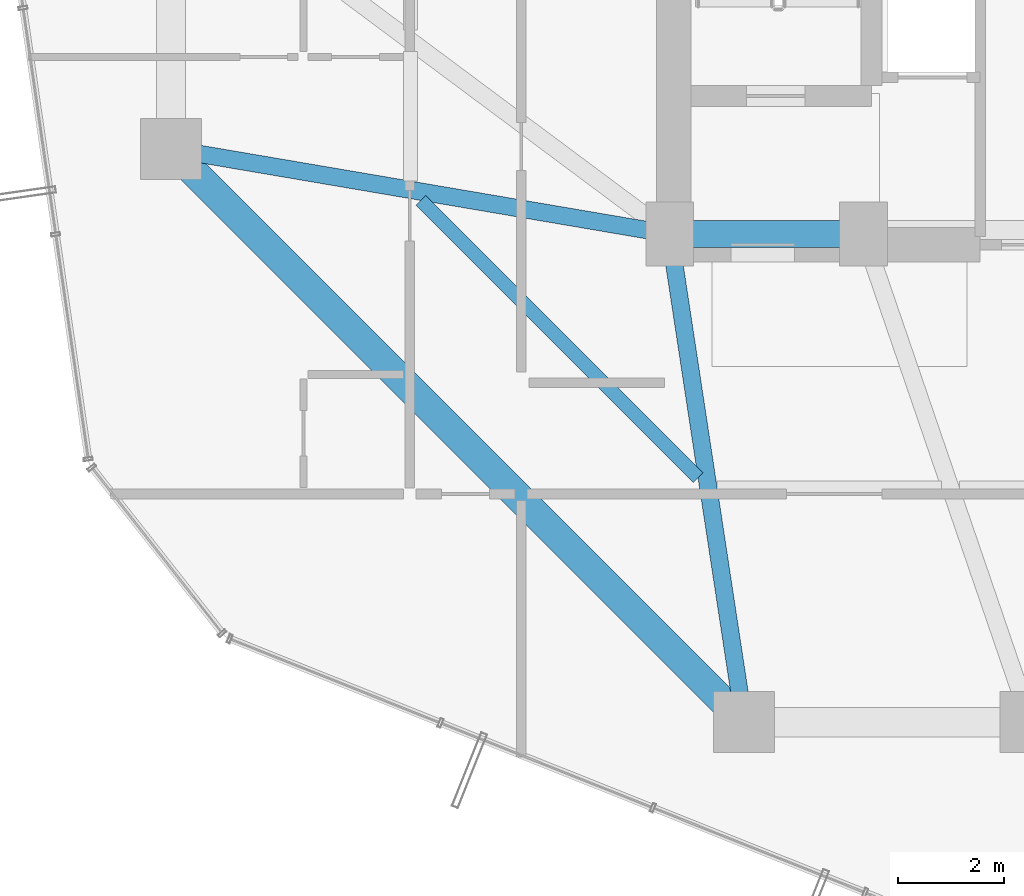
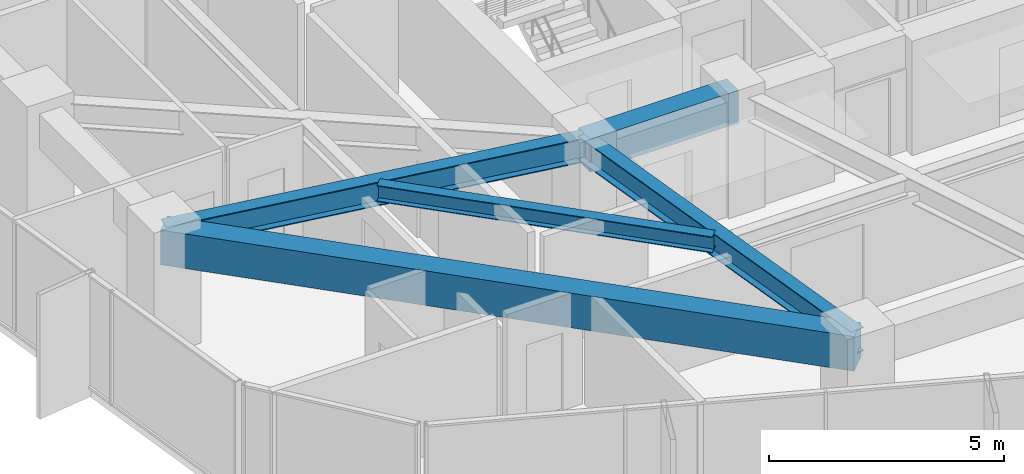
# One storey, part 5 of 34: 5 beams.
"""IFC4 building model written with IfcOpenShell, lengths in metres."""

import ifcopenshell
import ifcopenshell.guid

model = None  # the IFC model being written
_history = None  # IfcOwnerHistory: only IFC2X3 demands one
_inside = {}  # id of a spatial element -> (the spatial element, [elements in it])
_under = {}  # id of a project, library or spatial element -> (it, [spatial elements below it])
_declared = {}  # id of a project -> (the project, [libraries it declares])
_typed = {}  # id of a type object -> (the type object, [elements of that type])
_made_of = {}  # id of a material, layer set ... -> (it, [elements and type objects made of it])


def new_model(schema):
    """Start an empty IFC model of exactly this schema.

    Asked for "IFC4X3", IfcOpenShell would pick the latest addendum, in which some entities
    have other attributes; the version numbers below select the first issue.
    IFC2X3 requires an IfcOwnerHistory on every rooted entity: one is made here for all.
    """
    global model, _history
    if schema == "IFC4X3":
        model = ifcopenshell.file(schema_version=(4, 3, 0, 0))
    else:
        model = ifcopenshell.file(schema=schema)
    _inside.clear()
    _under.clear()
    _declared.clear()
    _typed.clear()
    _made_of.clear()
    _history = None
    if model.schema == "IFC2X3":
        org = make("IfcOrganization", Name="unknown")
        user = make(
            "IfcPersonAndOrganization",
            ThePerson=make("IfcPerson", FamilyName="unknown"),
            TheOrganization=org,
        )
        app = make(
            "IfcApplication",
            ApplicationDeveloper=org,
            Version="unknown",
            ApplicationFullName="unknown",
            ApplicationIdentifier="unknown",
        )
        _history = make(
            "IfcOwnerHistory",
            OwningUser=user,
            OwningApplication=app,
            ChangeAction="ADDED",
            CreationDate=0,
        )
    return model


def make(cls, **values):
    """One entity of the class cls with the attributes given. An attribute that is None is left unset."""
    return model.create_entity(
        cls, **{name: value for name, value in values.items() if value is not None}
    )


def rooted(cls, **values):
    """An entity with a GlobalId (a new one), such as an element, a storey or a relation."""
    return make(cls, GlobalId=ifcopenshell.guid.new(), OwnerHistory=_history, **values)


def si_unit(unit_type, name, prefix=None):
    """IfcSIUnit, for example si_unit("LENGTHUNIT", "METRE", prefix="MILLI")."""
    return make("IfcSIUnit", UnitType=unit_type, Prefix=prefix, Name=name)


def assignment(units):
    """IfcUnitAssignment: the units of a project."""
    return None if units is None else make("IfcUnitAssignment", Units=units)


def point(xyz):
    """IfcCartesianPoint."""
    return None if xyz is None else make("IfcCartesianPoint", Coordinates=xyz)


def direction(xyz):
    """IfcDirection."""
    return None if xyz is None else make("IfcDirection", DirectionRatios=xyz)


def frame(location, z_axis=None, x_axis=None):
    """IfcAxis2Placement3D, a coordinate frame: its origin and axes. An axis left out is left unset."""
    return make(
        "IfcAxis2Placement3D",
        Location=point(location),
        Axis=direction(z_axis),
        RefDirection=direction(x_axis),
    )


def frame_2d(location, x_axis=None):
    """IfcAxis2Placement2D, a coordinate frame in the plane: its origin and x axis."""
    return make(
        "IfcAxis2Placement2D", Location=point(location), RefDirection=direction(x_axis)
    )


def origin():
    """The frame at (0, 0, 0) with its axes left unset."""
    return frame((0.0, 0.0, 0.0))


def origin_2d():
    """The frame at (0, 0) in the plane with its x axis left unset."""
    return frame_2d((0.0, 0.0))


def place(relative_to, where):
    """IfcLocalPlacement: puts the frame where relative to a parent placement (None: the world)."""
    return make(
        "IfcLocalPlacement", PlacementRelTo=relative_to, RelativePlacement=where
    )


def context(
    kind, dimensions, precision=None, world=None, true_north=None, identifier=None
):
    """IfcGeometricRepresentationContext, for example the 3D "Model" context."""
    return make(
        "IfcGeometricRepresentationContext",
        ContextIdentifier=identifier,
        ContextType=kind,
        CoordinateSpaceDimension=dimensions,
        Precision=precision,
        WorldCoordinateSystem=world,
        TrueNorth=true_north,
    )


def subcontext(parent, identifier, kind, view, scale=None):
    """IfcGeometricRepresentationSubContext, for example "Body" below "Model"."""
    return make(
        "IfcGeometricRepresentationSubContext",
        ContextIdentifier=identifier,
        ContextType=kind,
        ParentContext=parent,
        TargetScale=scale,
        TargetView=view,
    )


def project(units=None, contexts=None):
    """IfcProject with its units and contexts."""
    return rooted(
        "IfcProject",
        Name="project",
        RepresentationContexts=contexts,
        UnitsInContext=assignment(units),
    )


def spatial(cls, under=None, at=None, **own):
    """A site, building, storey or space (cls), placed at a placement, below another one or the project."""
    s = rooted(cls, ObjectPlacement=at, **own)
    if under is not None:
        _under.setdefault(under.id(), (under, []))[1].append(s)
    return s


def profile(cls, at=None, kind="AREA", **sizes):
    """A parametric profile (cls). Its sizes go by their IFC names, for example OverallWidth=200.0."""
    return make(cls, ProfileType=kind, Position=at, **sizes)


def rectangle(**sizes):
    """IfcRectangleProfileDef."""
    return profile("IfcRectangleProfileDef", **sizes)


def i_section(**sizes):
    """IfcIShapeProfileDef."""
    return profile("IfcIShapeProfileDef", **sizes)


def extrude(swept, where, along, depth):
    """IfcExtrudedAreaSolid: the profile swept, set in the frame where, extruded along a direction by depth."""
    return make(
        "IfcExtrudedAreaSolid",
        SweptArea=swept,
        Position=where,
        ExtrudedDirection=direction(along),
        Depth=depth,
    )


def shape(context_of_items, identifier, shape_type, items):
    """IfcShapeRepresentation: the items that make up one representation, for example the "Body"."""
    return make(
        "IfcShapeRepresentation",
        ContextOfItems=context_of_items,
        RepresentationIdentifier=identifier,
        RepresentationType=shape_type,
        Items=items,
    )


def material(Name=None, Category=None):
    """IfcMaterial."""
    return make("IfcMaterial", Name=Name, Category=Category)


def material_profile(
    of_material, cross_section, Name=None, Category=None, Priority=None
):
    """IfcMaterialProfile: a cross section and its material."""
    return make(
        "IfcMaterialProfile",
        Name=Name,
        Material=of_material,
        Profile=cross_section,
        Priority=Priority,
        Category=Category,
    )


def profile_set(profiles, Name=None, composite=None):
    """IfcMaterialProfileSet."""
    return make(
        "IfcMaterialProfileSet",
        Name=Name,
        MaterialProfiles=profiles,
        CompositeProfile=composite,
    )


def made_of(thing, what):
    """Note that an element or type object is made of a material, layer set ...; save() writes the relation."""
    if what is not None:
        _made_of.setdefault(what.id(), (what, []))[1].append(thing)
    return thing


def type_object(cls, material=None, **own):
    """A type object (cls), such as IfcWallType, which elements share."""
    return made_of(rooted(cls, **own), material)


def element(
    cls,
    number,
    at=None,
    inside=None,
    cuts=None,
    type_object=None,
    material=None,
    context=None,
    identifier="Body",
    shape_type=None,
    held_by="IfcProductDefinitionShape",
    body=None,
    shapes=None,
    **own,
):
    """One element of the class cls, such as IfcWall. Its Tag is "e" and its number.

    at: its placement. inside: the storey or other place that contains it. cuts: it is an
    opening in that element (IfcRelVoidsElement). A single representation is given by context,
    identifier, shape_type and body (its items); several are given by shapes. held_by: the class
    of the entity that holds the representations. save() writes the other relations.
    """
    e = rooted(cls, Tag="e%d" % number, ObjectPlacement=at, **own)
    if body is not None:
        shapes = [shape(context, identifier, shape_type, body)]
    if shapes is not None:
        e.Representation = make(held_by, Representations=shapes)
    if inside is not None:
        _inside.setdefault(inside.id(), (inside, []))[1].append(e)
    if cuts is not None:
        rooted(
            "IfcRelVoidsElement", RelatingBuildingElement=cuts, RelatedOpeningElement=e
        )
    if type_object is not None:
        _typed.setdefault(type_object.id(), (type_object, []))[1].append(e)
    return made_of(e, material)


def aggregate(whole, parts):
    """IfcRelAggregates: a whole, such as a stair, and the parts it consists of."""
    return rooted("IfcRelAggregates", RelatingObject=whole, RelatedObjects=parts)


def save(model, path):
    """Write the relations noted so far, then the file.

    IfcRelAggregates (storeys below a building ...), IfcRelContainedInSpatialStructure (elements
    in a storey), IfcRelDefinesByType, IfcRelAssociatesMaterial and IfcRelDeclares: one each for
    every whole, place, type object, material and project.
    """
    for whole, parts in _under.values():
        aggregate(whole, parts)
    for where, things in _inside.values():
        rooted(
            "IfcRelContainedInSpatialStructure",
            RelatedElements=things,
            RelatingStructure=where,
        )
    for kind, things in _typed.values():
        rooted("IfcRelDefinesByType", RelatedObjects=things, RelatingType=kind)
    for what, things in _made_of.values():
        rooted("IfcRelAssociatesMaterial", RelatedObjects=things, RelatingMaterial=what)
    for by, libraries in _declared.values():
        rooted("IfcRelDeclares", RelatingContext=by, RelatedDefinitions=libraries)
    model.write(path)


model = new_model("IFC4")

# Units and contexts
model_context = context("Model", 3, precision=1e-05, world=origin(), true_north=direction((0.0, 1.0)))
body_context = subcontext(model_context, "Body", "Model", "MODEL_VIEW")
ifc_project = project(units=[si_unit("LENGTHUNIT", "METRE"), si_unit("AREAUNIT", "SQUARE_METRE"), si_unit("VOLUMEUNIT", "CUBIC_METRE"), si_unit("PLANEANGLEUNIT", "RADIAN"), si_unit("MASSUNIT", "GRAM", prefix="KILO")], contexts=[model_context])

# Site, building, storey
site_placement = place(None, origin())
site = spatial("IfcSite", under=ifc_project, at=site_placement, CompositionType="ELEMENT")
building_placement = place(site_placement, origin())
building = spatial("IfcBuilding", under=site, at=building_placement, Name="Veraguas Prism Commons", CompositionType="ELEMENT")
storey_placement = place(building_placement, frame((0.0, 0.0, 155.5)))
storey = spatial("IfcBuildingStorey", under=building, at=storey_placement, Name="L44", CompositionType="ELEMENT", Elevation=155.5)

# Beams
ifc_material_1 = material(Name="Concrete C50/60", Category="concrete")
ifc_material_profile_1 = material_profile(ifc_material_1, rectangle(XDim=0.5, YDim=0.85009765625, at=origin_2d()), Name="RC500X850")
ifc_profile_set_1 = profile_set([ifc_material_profile_1], Name="Concrete C50/60")
beam_type_1 = type_object("IfcBeamType", Name="Core Coupling Beam RC 500x850", PredefinedType="BEAM", material=ifc_profile_set_1)
beam_1_placement = place(storey_placement, frame((17.199951171875, 17.0, 2.544921875), z_axis=(1.0, 0.0, 0.0), x_axis=(0.0, 1.0, 0.0)))
element("IfcBeam", 1, at=beam_1_placement, inside=storey, type_object=beam_type_1, Name="Core Coupling Beam L44-CRS1", PredefinedType="BEAM", context=body_context, shape_type="SweptSolid", body=[
    extrude(rectangle(XDim=0.5, YDim=0.85009765625, at=origin_2d()), origin(), (0.0, 0.0, 1.0), 3.650146484375),
])
ifc_material_2 = material(Name="Steel ASTM A992 Grade 50", Category="steel")
ifc_material_profile_2 = material_profile(ifc_material_2, i_section(OverallWidth=0.260986328125, OverallDepth=0.419921875, WebThickness=0.01171875, FlangeThickness=0.019287109375, at=origin_2d()), Name="W410X114")
ifc_profile_set_2 = profile_set([ifc_material_profile_2], Name="Steel ASTM A992 Grade 50")
beam_type_2 = type_object("IfcBeamType", Name="Lower Floor Joist W410x114", PredefinedType="JOIST", material=ifc_profile_set_2)
beam_2_placement = place(storey_placement, frame((12.510009765625, 17.634033203125, 2.760009765625), z_axis=(0.707090260193, -0.707123301794, 0.0), x_axis=(0.707123301794, 0.707090260193, 0.0)))
element("IfcBeam", 2, at=beam_2_placement, inside=storey, type_object=beam_type_2, Name="Composite Floor Joist L44-JS09", PredefinedType="JOIST", context=body_context, shape_type="SweptSolid", body=[
    extrude(i_section(OverallWidth=0.260986328125, OverallDepth=0.419921875, WebThickness=0.01171875, FlangeThickness=0.019287109375, at=origin_2d()), origin(), (0.0, 0.0, 1.0), 7.388916015625),
])
ifc_material_profile_3 = material_profile(ifc_material_1, rectangle(XDim=0.550048828125, YDim=0.89990234375, at=origin_2d()), Name="RC550X900")
ifc_profile_set_3 = profile_set([ifc_material_profile_3], Name="Concrete C50/60")
beam_type_3 = type_object("IfcBeamType", Name="Perimeter Spandrel Lower RC 550x900", PredefinedType="SPANDREL", material=ifc_profile_set_3)
beam_3_placement = place(storey_placement, frame((7.800048828125, 18.60009765625, 2.52001953125), z_axis=(0.707106781187, -0.707106781187, 0.0), x_axis=(0.707106781187, 0.707106781187, 0.0)))
element("IfcBeam", 3, at=beam_3_placement, inside=storey, type_object=beam_type_3, Name="Perimeter Spandrel Beam L44-SP09", PredefinedType="SPANDREL", context=body_context, shape_type="SweptSolid", body=[
    extrude(rectangle(XDim=0.550048828125, YDim=0.89990234375, at=origin_2d()), origin(), (0.0, 0.0, 1.0), 15.273681640625),
])
ifc_material_profile_4 = material_profile(ifc_material_2, i_section(OverallWidth=0.327880859375, OverallDepth=0.6220703125, WebThickness=0.015380859375, FlangeThickness=0.0244140625, at=origin_2d()), Name="W610X195")
ifc_profile_set_4 = profile_set([ifc_material_profile_4], Name="Steel ASTM A992 Grade 50")
beam_type_4 = type_object("IfcBeamType", Name="Zone 2 Radial Girder W610x195", PredefinedType="BEAM", material=ifc_profile_set_4)
beam_4_placement = place(storey_placement, frame((7.800048828125, 18.60009765625, 2.658935546875), z_axis=(0.985819187151, -0.1678109956, 0.0), x_axis=(0.1678109956, 0.985819187151, 0.0)))
element("IfcBeam", 4, at=beam_4_placement, inside=storey, type_object=beam_type_4, Name="Radial Floor Girder L44-RD09", PredefinedType="BEAM", context=body_context, shape_type="SweptSolid", body=[
    extrude(i_section(OverallWidth=0.327880859375, OverallDepth=0.6220703125, WebThickness=0.015380859375, FlangeThickness=0.0244140625, at=origin_2d()), origin(), (0.0, 0.0, 1.0), 9.53515625),
])
beam_5_placement = place(storey_placement, frame((18.60009765625, 7.800048828125, 2.658935546875), z_axis=(-0.150458162136, 0.98861637729, 0.0), x_axis=(-0.98861637729, -0.150458162136, 0.0)))
element("IfcBeam", 5, at=beam_5_placement, inside=storey, type_object=beam_type_4, Name="Radial Floor Girder L44-RD10", PredefinedType="BEAM", context=body_context, shape_type="SweptSolid", body=[
    extrude(i_section(OverallWidth=0.327880859375, OverallDepth=0.6220703125, WebThickness=0.015380859375, FlangeThickness=0.0244140625, at=origin_2d()), origin(), (0.0, 0.0, 1.0), 9.305908203125),
])

save(model, "model.ifc")
